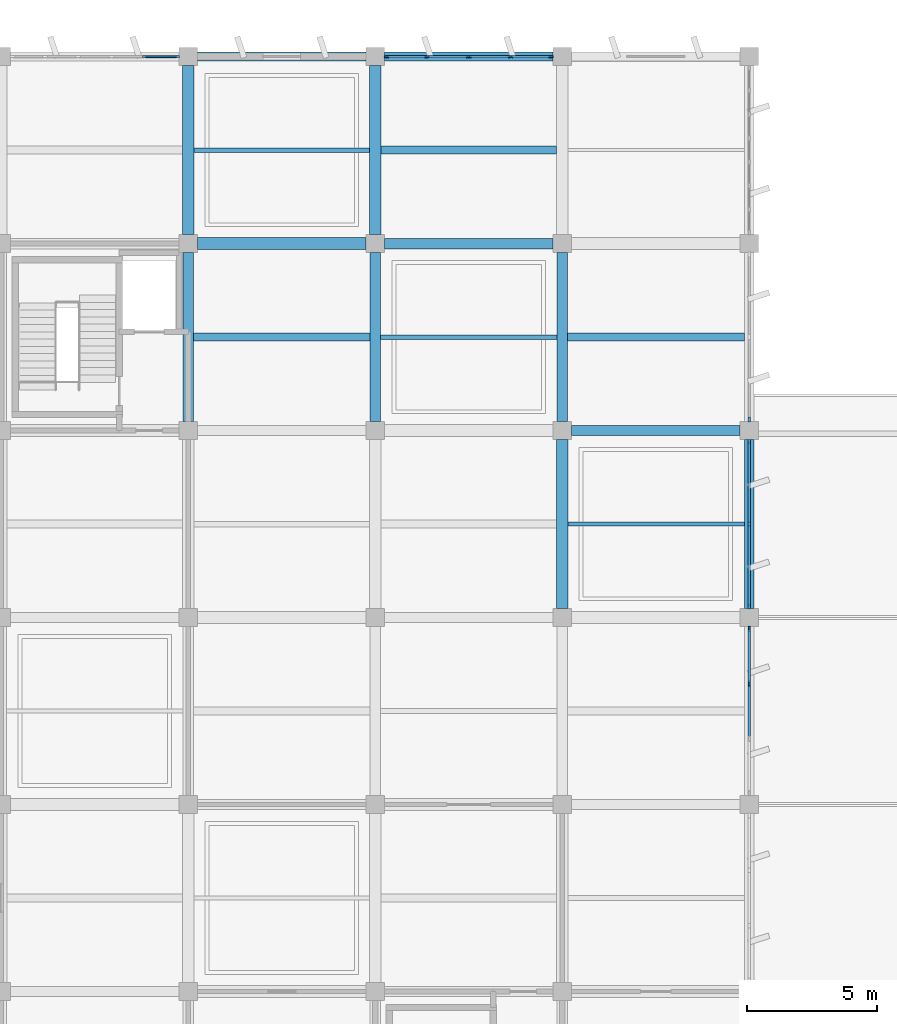
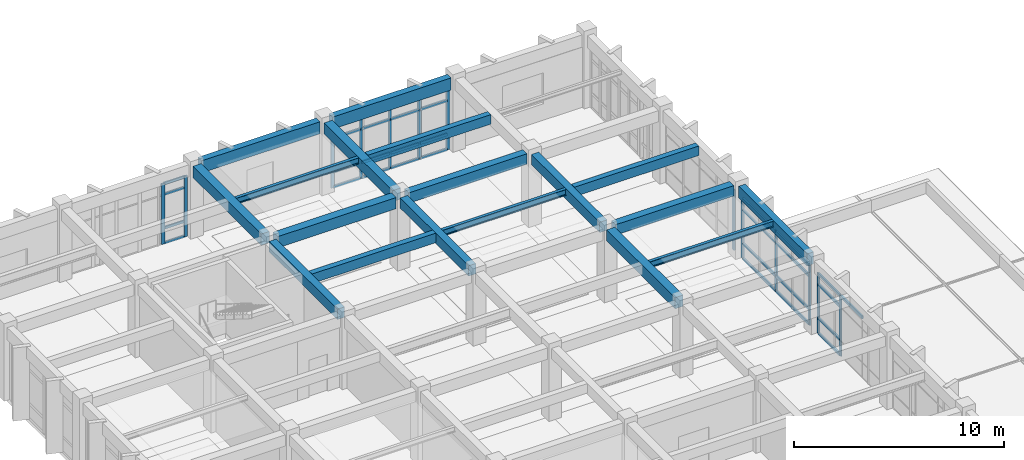
# One storey, part 33 of 81: 49 members, 15 beams, 5 elements without a shape of their own.
"""IFC4 building model written with IfcOpenShell, lengths in metres."""

import ifcopenshell
import ifcopenshell.guid

model = None  # the IFC model being written
_history = None  # IfcOwnerHistory: only IFC2X3 demands one
_inside = {}  # id of a spatial element -> (the spatial element, [elements in it])
_under = {}  # id of a project, library or spatial element -> (it, [spatial elements below it])
_declared = {}  # id of a project -> (the project, [libraries it declares])
_typed = {}  # id of a type object -> (the type object, [elements of that type])
_made_of = {}  # id of a material, layer set ... -> (it, [elements and type objects made of it])


def new_model(schema):
    """Start an empty IFC model of exactly this schema.

    Asked for "IFC4X3", IfcOpenShell would pick the latest addendum, in which some entities
    have other attributes; the version numbers below select the first issue.
    IFC2X3 requires an IfcOwnerHistory on every rooted entity: one is made here for all.
    """
    global model, _history
    if schema == "IFC4X3":
        model = ifcopenshell.file(schema_version=(4, 3, 0, 0))
    else:
        model = ifcopenshell.file(schema=schema)
    _inside.clear()
    _under.clear()
    _declared.clear()
    _typed.clear()
    _made_of.clear()
    _history = None
    if model.schema == "IFC2X3":
        org = make("IfcOrganization", Name="unknown")
        user = make(
            "IfcPersonAndOrganization",
            ThePerson=make("IfcPerson", FamilyName="unknown"),
            TheOrganization=org,
        )
        app = make(
            "IfcApplication",
            ApplicationDeveloper=org,
            Version="unknown",
            ApplicationFullName="unknown",
            ApplicationIdentifier="unknown",
        )
        _history = make(
            "IfcOwnerHistory",
            OwningUser=user,
            OwningApplication=app,
            ChangeAction="ADDED",
            CreationDate=0,
        )
    return model


def make(cls, **values):
    """One entity of the class cls with the attributes given. An attribute that is None is left unset."""
    return model.create_entity(
        cls, **{name: value for name, value in values.items() if value is not None}
    )


def rooted(cls, **values):
    """An entity with a GlobalId (a new one), such as an element, a storey or a relation."""
    return make(cls, GlobalId=ifcopenshell.guid.new(), OwnerHistory=_history, **values)


def si_unit(unit_type, name, prefix=None):
    """IfcSIUnit, for example si_unit("LENGTHUNIT", "METRE", prefix="MILLI")."""
    return make("IfcSIUnit", UnitType=unit_type, Prefix=prefix, Name=name)


def assignment(units):
    """IfcUnitAssignment: the units of a project."""
    return None if units is None else make("IfcUnitAssignment", Units=units)


def point(xyz):
    """IfcCartesianPoint."""
    return None if xyz is None else make("IfcCartesianPoint", Coordinates=xyz)


def direction(xyz):
    """IfcDirection."""
    return None if xyz is None else make("IfcDirection", DirectionRatios=xyz)


def frame(location, z_axis=None, x_axis=None):
    """IfcAxis2Placement3D, a coordinate frame: its origin and axes. An axis left out is left unset."""
    return make(
        "IfcAxis2Placement3D",
        Location=point(location),
        Axis=direction(z_axis),
        RefDirection=direction(x_axis),
    )


def frame_2d(location, x_axis=None):
    """IfcAxis2Placement2D, a coordinate frame in the plane: its origin and x axis."""
    return make(
        "IfcAxis2Placement2D", Location=point(location), RefDirection=direction(x_axis)
    )


def origin():
    """The frame at (0, 0, 0) with its axes left unset."""
    return frame((0.0, 0.0, 0.0))


def origin_2d():
    """The frame at (0, 0) in the plane with its x axis left unset."""
    return frame_2d((0.0, 0.0))


def place(relative_to, where):
    """IfcLocalPlacement: puts the frame where relative to a parent placement (None: the world)."""
    return make(
        "IfcLocalPlacement", PlacementRelTo=relative_to, RelativePlacement=where
    )


def context(
    kind, dimensions, precision=None, world=None, true_north=None, identifier=None
):
    """IfcGeometricRepresentationContext, for example the 3D "Model" context."""
    return make(
        "IfcGeometricRepresentationContext",
        ContextIdentifier=identifier,
        ContextType=kind,
        CoordinateSpaceDimension=dimensions,
        Precision=precision,
        WorldCoordinateSystem=world,
        TrueNorth=true_north,
    )


def subcontext(parent, identifier, kind, view, scale=None):
    """IfcGeometricRepresentationSubContext, for example "Body" below "Model"."""
    return make(
        "IfcGeometricRepresentationSubContext",
        ContextIdentifier=identifier,
        ContextType=kind,
        ParentContext=parent,
        TargetScale=scale,
        TargetView=view,
    )


def project(units=None, contexts=None):
    """IfcProject with its units and contexts."""
    return rooted(
        "IfcProject",
        Name="project",
        RepresentationContexts=contexts,
        UnitsInContext=assignment(units),
    )


def spatial(cls, under=None, at=None, **own):
    """A site, building, storey or space (cls), placed at a placement, below another one or the project."""
    s = rooted(cls, ObjectPlacement=at, **own)
    if under is not None:
        _under.setdefault(under.id(), (under, []))[1].append(s)
    return s


def profile(cls, at=None, kind="AREA", **sizes):
    """A parametric profile (cls). Its sizes go by their IFC names, for example OverallWidth=200.0."""
    return make(cls, ProfileType=kind, Position=at, **sizes)


def rectangle(**sizes):
    """IfcRectangleProfileDef."""
    return profile("IfcRectangleProfileDef", **sizes)


def i_section(**sizes):
    """IfcIShapeProfileDef."""
    return profile("IfcIShapeProfileDef", **sizes)


def extrude(swept, where, along, depth):
    """IfcExtrudedAreaSolid: the profile swept, set in the frame where, extruded along a direction by depth."""
    return make(
        "IfcExtrudedAreaSolid",
        SweptArea=swept,
        Position=where,
        ExtrudedDirection=direction(along),
        Depth=depth,
    )


def shape(context_of_items, identifier, shape_type, items):
    """IfcShapeRepresentation: the items that make up one representation, for example the "Body"."""
    return make(
        "IfcShapeRepresentation",
        ContextOfItems=context_of_items,
        RepresentationIdentifier=identifier,
        RepresentationType=shape_type,
        Items=items,
    )


def material(Name=None, Category=None):
    """IfcMaterial."""
    return make("IfcMaterial", Name=Name, Category=Category)


def layer(
    of_material, thickness, ventilated=None, Name=None, Category=None, Priority=None
):
    """IfcMaterialLayer: one layer of a wall or slab, of a material (None: an air gap)."""
    return make(
        "IfcMaterialLayer",
        Material=of_material,
        LayerThickness=thickness,
        IsVentilated=ventilated,
        Name=Name,
        Category=Category,
        Priority=Priority,
    )


def layer_set(layers, Name=None):
    """IfcMaterialLayerSet."""
    return make("IfcMaterialLayerSet", MaterialLayers=layers, LayerSetName=Name)


def material_profile(
    of_material, cross_section, Name=None, Category=None, Priority=None
):
    """IfcMaterialProfile: a cross section and its material."""
    return make(
        "IfcMaterialProfile",
        Name=Name,
        Material=of_material,
        Profile=cross_section,
        Priority=Priority,
        Category=Category,
    )


def profile_set(profiles, Name=None, composite=None):
    """IfcMaterialProfileSet."""
    return make(
        "IfcMaterialProfileSet",
        Name=Name,
        MaterialProfiles=profiles,
        CompositeProfile=composite,
    )


def made_of(thing, what):
    """Note that an element or type object is made of a material, layer set ...; save() writes the relation."""
    if what is not None:
        _made_of.setdefault(what.id(), (what, []))[1].append(thing)
    return thing


def type_object(cls, material=None, **own):
    """A type object (cls), such as IfcWallType, which elements share."""
    return made_of(rooted(cls, **own), material)


def element(
    cls,
    number,
    at=None,
    inside=None,
    cuts=None,
    type_object=None,
    material=None,
    context=None,
    identifier="Body",
    shape_type=None,
    held_by="IfcProductDefinitionShape",
    body=None,
    shapes=None,
    **own,
):
    """One element of the class cls, such as IfcWall. Its Tag is "e" and its number.

    at: its placement. inside: the storey or other place that contains it. cuts: it is an
    opening in that element (IfcRelVoidsElement). A single representation is given by context,
    identifier, shape_type and body (its items); several are given by shapes. held_by: the class
    of the entity that holds the representations. save() writes the other relations.
    """
    e = rooted(cls, Tag="e%d" % number, ObjectPlacement=at, **own)
    if body is not None:
        shapes = [shape(context, identifier, shape_type, body)]
    if shapes is not None:
        e.Representation = make(held_by, Representations=shapes)
    if inside is not None:
        _inside.setdefault(inside.id(), (inside, []))[1].append(e)
    if cuts is not None:
        rooted(
            "IfcRelVoidsElement", RelatingBuildingElement=cuts, RelatedOpeningElement=e
        )
    if type_object is not None:
        _typed.setdefault(type_object.id(), (type_object, []))[1].append(e)
    return made_of(e, material)


def aggregate(whole, parts):
    """IfcRelAggregates: a whole, such as a stair, and the parts it consists of."""
    return rooted("IfcRelAggregates", RelatingObject=whole, RelatedObjects=parts)


def save(model, path):
    """Write the relations noted so far, then the file.

    IfcRelAggregates (storeys below a building ...), IfcRelContainedInSpatialStructure (elements
    in a storey), IfcRelDefinesByType, IfcRelAssociatesMaterial and IfcRelDeclares: one each for
    every whole, place, type object, material and project.
    """
    for whole, parts in _under.values():
        aggregate(whole, parts)
    for where, things in _inside.values():
        rooted(
            "IfcRelContainedInSpatialStructure",
            RelatedElements=things,
            RelatingStructure=where,
        )
    for kind, things in _typed.values():
        rooted("IfcRelDefinesByType", RelatedObjects=things, RelatingType=kind)
    for what, things in _made_of.values():
        rooted("IfcRelAssociatesMaterial", RelatedObjects=things, RelatingMaterial=what)
    for by, libraries in _declared.values():
        rooted("IfcRelDeclares", RelatingContext=by, RelatedDefinitions=libraries)
    model.write(path)


model = new_model("IFC4")

# Units and contexts
model_context = context("Model", 3, precision=1e-05, world=origin(), true_north=direction((0.0, 1.0)))
body_context = subcontext(model_context, "Body", "Model", "MODEL_VIEW")
ifc_project = project(units=[si_unit("LENGTHUNIT", "METRE"), si_unit("AREAUNIT", "SQUARE_METRE"), si_unit("VOLUMEUNIT", "CUBIC_METRE"), si_unit("PLANEANGLEUNIT", "RADIAN"), si_unit("MASSUNIT", "GRAM", prefix="KILO")], contexts=[model_context])

# Site, building, storey
site_placement = place(None, origin())
site = spatial("IfcSite", under=ifc_project, at=site_placement, CompositionType="ELEMENT")
building_placement = place(site_placement, origin())
building = spatial("IfcBuilding", under=site, at=building_placement, Name="Kavelor Marine Aquarium", CompositionType="ELEMENT")
storey_placement = place(building_placement, frame((0.0, 0.0, 4.679931640625)))
storey = spatial("IfcBuildingStorey", under=building, at=storey_placement, Name="L01", CompositionType="ELEMENT", Elevation=4.679931640625)

# Beams
ifc_material_1 = material(Name="Concrete C40/50", Category="concrete")
ifc_material_profile_1 = material_profile(ifc_material_1, rectangle(XDim=0.449951171875, YDim=0.64990234375, at=origin_2d()), Name="RC-BM 450x650")
ifc_profile_set_1 = profile_set([ifc_material_profile_1], Name="Concrete C40/50")
beam_type_1 = type_object("IfcBeamType", Name="BM-B3", PredefinedType="BEAM", material=ifc_profile_set_1)
for number, where, z_axis, x_axis, name in (
    (1, (133.14990234375, 103.60009765625, 3.875), (1.0, 0.0, 0.0), (0.0, 1.0, 0.0), "bm:x:L01:L02:18_14"),
    (2, (132.800048828125, 103.949951171875, 3.875), (0.0, 1.0, 0.0), (-1.0, 0.0, 0.0), "bm:y:L01:L02:18_14"),
    (3, (140.0, 103.949951171875, 3.875), (0.0, 1.0, 0.0), (-1.0, 0.0, 0.0), "bm:y:L01:L02:19_14"),
    (4, (147.199951171875, 89.550048828125, 3.875), (0.0, 1.0, 0.0), (-1.0, 0.0, 0.0), "bm:y:L01:L02:20_12"),
):
    element("IfcBeam", number, at=place(storey_placement, frame(where, z_axis=z_axis, x_axis=x_axis)), inside=storey, type_object=beam_type_1, Name=name, PredefinedType="BEAM", context=body_context, shape_type="SweptSolid", body=[
        extrude(rectangle(XDim=0.449951171875, YDim=0.64990234375, at=origin_2d()), origin(), (0.0, 0.0, 1.0), 6.5),
    ])
ifc_material_2 = material(Name="Concrete C40/50", Category="concrete")
ifc_material_profile_2 = material_profile(ifc_material_2, rectangle(XDim=0.39990234375, YDim=0.60009765625, at=origin_2d()), Name="RC-BM 400x600")
ifc_profile_set_2 = profile_set([ifc_material_profile_2], Name="Concrete C40/50")
beam_type_2 = type_object("IfcBeamType", Name="BM-B4", PredefinedType="BEAM", material=ifc_profile_set_2)
for number, where, z_axis, x_axis, name in (
    (5, (140.35009765625, 103.60009765625, 3.900146484375), (1.0, 0.0, 0.0), (0.0, 1.0, 0.0), "bm:x:L01:L02:19_14"),
    (6, (147.550048828125, 96.39990234375, 3.900146484375), (1.0, 0.0, 0.0), (0.0, 1.0, 0.0), "bm:x:L01:L02:20_13"),
    (7, (132.800048828125, 96.75, 3.900146484375), (0.0, 1.0, 0.0), (-1.0, 0.0, 0.0), "bm:y:L01:L02:18_13"),
    (8, (140.0, 96.75, 3.900146484375), (0.0, 1.0, 0.0), (-1.0, 0.0, 0.0), "bm:y:L01:L02:19_13"),
    (9, (147.199951171875, 96.75, 3.900146484375), (0.0, 1.0, 0.0), (-1.0, 0.0, 0.0), "bm:y:L01:L02:20_13"),
):
    element("IfcBeam", number, at=place(storey_placement, frame(where, z_axis=z_axis, x_axis=x_axis)), inside=storey, type_object=beam_type_2, Name=name, PredefinedType="BEAM", context=body_context, shape_type="SweptSolid", body=[
        extrude(rectangle(XDim=0.39990234375, YDim=0.60009765625, at=origin_2d()), origin(), (0.0, 0.0, 1.0), 6.5),
    ])
ifc_material_3 = material(Name="Concrete C40/50", Category="concrete")
ifc_material_profile_3 = material_profile(ifc_material_3, rectangle(XDim=0.300048828125, YDim=0.550048828125, at=origin_2d()), Name="RC-JS 300x550")
ifc_profile_set_3 = profile_set([ifc_material_profile_3], Name="Concrete C40/50")
beam_type_3 = type_object("IfcBeamType", Name="BM-JS2", PredefinedType="JOIST", material=ifc_profile_set_3)
beam_1_placement = place(storey_placement, frame((133.0, 100.0, 3.945068359375), z_axis=(1.0, 0.0, 0.0), x_axis=(0.0, 1.0, 0.0)))
element("IfcBeam", 10, at=beam_1_placement, inside=storey, type_object=beam_type_3, Name="js:L01:L02:18_13", PredefinedType="JOIST", context=body_context, shape_type="SweptSolid", body=[
    extrude(rectangle(XDim=0.300048828125, YDim=0.550048828125, at=origin_2d()), origin(), (0.0, 0.0, 1.0), 6.800048828125),
])
beam_2_placement = place(storey_placement, frame((140.22509765625, 107.199951171875, 3.945068359375), z_axis=(1.0, 0.0, 0.0), x_axis=(0.0, 1.0, 0.0)))
element("IfcBeam", 11, at=beam_2_placement, inside=storey, type_object=beam_type_3, Name="js:L01:L02:19_14", PredefinedType="JOIST", context=body_context, shape_type="SweptSolid", body=[
    extrude(rectangle(XDim=0.300048828125, YDim=0.550048828125, at=origin_2d()), origin(), (0.0, 0.0, 1.0), 6.75),
])
beam_3_placement = place(storey_placement, frame((147.39990234375, 100.0, 3.945068359375), z_axis=(1.0, 0.0, 0.0), x_axis=(0.0, 1.0, 0.0)))
element("IfcBeam", 12, at=beam_3_placement, inside=storey, type_object=beam_type_3, Name="js:L01:L02:20_13", PredefinedType="JOIST", context=body_context, shape_type="SweptSolid", body=[
    extrude(rectangle(XDim=0.300048828125, YDim=0.550048828125, at=origin_2d()), origin(), (0.0, 0.0, 1.0), 6.8251953125),
])
ifc_material_4 = material(Name="Concrete C40/50", Category="concrete")
ifc_material_profile_4 = material_profile(ifc_material_4, rectangle(XDim=0.35009765625, YDim=0.699951171875, at=origin_2d()), Name="RC-SP 350x700")
ifc_profile_set_4 = profile_set([ifc_material_profile_4], Name="Concrete C40/50")
beam_type_4 = type_object("IfcBeamType", Name="BM-SP1", PredefinedType="SPANDREL", material=ifc_profile_set_4)
for number, where, z_axis, x_axis, name in (
    (13, (133.14990234375, 110.800048828125, 3.85009765625), (1.0, 0.0, 0.0), (0.0, 1.0, 0.0), "bm:x:L01:L02:18_15"),
    (14, (140.35009765625, 110.800048828125, 3.8701171875), (1.0, 0.0, 0.0), (0.0, 1.0, 0.0), "bm:x:L01:L02:19_15"),
    (15, (154.39990234375, 89.550048828125, 3.85009765625), (0.0, 1.0, 0.0), (-1.0, 0.0, 0.0), "bm:y:L01:L02:21_12"),
):
    element("IfcBeam", number, at=place(storey_placement, frame(where, z_axis=z_axis, x_axis=x_axis)), inside=storey, type_object=beam_type_4, Name=name, PredefinedType="SPANDREL", context=body_context, shape_type="SweptSolid", body=[
        extrude(rectangle(XDim=0.35009765625, YDim=0.699951171875, at=origin_2d()), origin(), (0.0, 0.0, 1.0), 6.5),
    ])

# Curtain wall, members
ifc_material_5 = material(Name="Thermally Broken Aluminium and Low-E Glass", Category="aluminium")
ifc_layer_1 = layer(ifc_material_5, 0.219970703125)
ifc_layer_set_1 = layer_set([ifc_layer_1], Name="CW-SYS10")
curtain_wall_type_1 = type_object("IfcCurtainWallType", Name="CW-SYS10", PredefinedType="USERDEFINED", material=ifc_layer_set_1)
curtain_wall_1_placement = place(storey_placement, origin())
curtain_wall_1 = element("IfcCurtainWall", 16, at=curtain_wall_1_placement, inside=storey, type_object=curtain_wall_type_1, Name="cw:x:L01:19_15", ObjectType="Curtain Wall", PredefinedType="USERDEFINED")
ifc_material_6 = material(Name="Anodised Aluminium Alloy 6063-T6", Category="aluminium")
ifc_material_profile_5 = material_profile(ifc_material_6, rectangle(XDim=0.074951171875, YDim=0.179931640625, at=origin_2d()), Name="CW-MUL 75x180")
ifc_profile_set_5 = profile_set([ifc_material_profile_5], Name="Anodised Aluminium Alloy 6063-T6")
member_type_1 = type_object("IfcMemberType", Name="CWM-1", PredefinedType="MULLION", material=ifc_profile_set_5)
member_1_placement = place(storey_placement, frame((140.4326171875, 110.800048828125, 0.0), z_axis=(0.0, 0.0, 1.0), x_axis=(0.0, 1.0, 0.0)))
member_1 = element("IfcMember", 17, at=member_1_placement, type_object=member_type_1, Name="CW10 mullion 1", PredefinedType="MULLION", context=body_context, shape_type="SweptSolid", body=[
    extrude(rectangle(XDim=0.074951171875, YDim=0.179931640625, at=origin_2d()), origin(), (0.0, 0.0, 1.0), 3.510009765625),
])
member_2_placement = place(storey_placement, frame((141.99755859375, 110.800048828125, 0.0), z_axis=(0.0, 0.0, 1.0), x_axis=(0.0, 1.0, 0.0)))
member_2 = element("IfcMember", 18, at=member_2_placement, type_object=member_type_1, Name="CW10 mullion 2", PredefinedType="MULLION", context=body_context, shape_type="SweptSolid", body=[
    extrude(rectangle(XDim=0.074951171875, YDim=0.179931640625, at=origin_2d()), origin(), (0.0, 0.0, 1.0), 3.510009765625),
])
member_3_placement = place(storey_placement, frame((143.60009765625, 110.800048828125, 0.0), z_axis=(0.0, 0.0, 1.0), x_axis=(0.0, 1.0, 0.0)))
member_3 = element("IfcMember", 19, at=member_3_placement, type_object=member_type_1, Name="CW10 mullion 3", PredefinedType="MULLION", context=body_context, shape_type="SweptSolid", body=[
    extrude(rectangle(XDim=0.074951171875, YDim=0.179931640625, at=origin_2d()), origin(), (0.0, 0.0, 1.0), 3.510009765625),
])
member_4_placement = place(storey_placement, frame((145.202392578125, 110.800048828125, 0.0), z_axis=(0.0, 0.0, 1.0), x_axis=(0.0, 1.0, 0.0)))
member_4 = element("IfcMember", 20, at=member_4_placement, type_object=member_type_1, Name="CW10 mullion 4", PredefinedType="MULLION", context=body_context, shape_type="SweptSolid", body=[
    extrude(rectangle(XDim=0.074951171875, YDim=0.179931640625, at=origin_2d()), origin(), (0.0, 0.0, 1.0), 3.510009765625),
])
member_5_placement = place(storey_placement, frame((146.767578125, 110.800048828125, 0.0), z_axis=(0.0, 0.0, 1.0), x_axis=(0.0, 1.0, 0.0)))
member_5 = element("IfcMember", 21, at=member_5_placement, type_object=member_type_1, Name="CW10 mullion 5", PredefinedType="MULLION", context=body_context, shape_type="SweptSolid", body=[
    extrude(rectangle(XDim=0.074951171875, YDim=0.179931640625, at=origin_2d()), origin(), (0.0, 0.0, 1.0), 3.510009765625),
])

ifc_material_7 = material(Name="Thermally Broken Aluminium and Low-E Glass", Category="aluminium")
ifc_layer_2 = layer(ifc_material_7, 0.31591796875)
ifc_layer_set_2 = layer_set([ifc_layer_2], Name="CW-SYS22")
curtain_wall_type_2 = type_object("IfcCurtainWallType", Name="CW-SYS22", PredefinedType="USERDEFINED", material=ifc_layer_set_2)
curtain_wall_2_placement = place(storey_placement, origin())
curtain_wall_2 = element("IfcCurtainWall", 22, at=curtain_wall_2_placement, inside=storey, type_object=curtain_wall_type_2, Name="cw:y:L01:21_11", ObjectType="Curtain Wall", PredefinedType="USERDEFINED")
member_6_placement = place(storey_placement, frame((154.39990234375, 86.668212890625, 0.0), z_axis=(0.0, 0.0, 1.0), x_axis=(-1.0, 0.0, 0.0)))
member_6 = element("IfcMember", 23, at=member_6_placement, type_object=member_type_1, Name="CW22 mullion 3", PredefinedType="MULLION", context=body_context, shape_type="SweptSolid", body=[
    extrude(rectangle(XDim=0.074951171875, YDim=0.179931640625, at=origin_2d()), origin(), (0.0, 0.0, 1.0), 3.510009765625),
])
member_7_placement = place(storey_placement, frame((154.39990234375, 88.767578125, 0.0), z_axis=(0.0, 0.0, 1.0), x_axis=(-1.0, 0.0, 0.0)))
member_7 = element("IfcMember", 24, at=member_7_placement, type_object=member_type_1, Name="CW22 mullion 4", PredefinedType="MULLION", context=body_context, shape_type="SweptSolid", body=[
    extrude(rectangle(XDim=0.074951171875, YDim=0.179931640625, at=origin_2d()), origin(), (0.0, 0.0, 1.0), 3.510009765625),
])

ifc_material_8 = material(Name="Thermally Broken Aluminium and Low-E Glass", Category="aluminium")
ifc_layer_3 = layer(ifc_material_8, 0.323974609375)
ifc_layer_set_3 = layer_set([ifc_layer_3], Name="CW-SYS23")
curtain_wall_type_3 = type_object("IfcCurtainWallType", Name="CW-SYS23", PredefinedType="USERDEFINED", material=ifc_layer_set_3)
curtain_wall_3_placement = place(storey_placement, origin())
curtain_wall_3 = element("IfcCurtainWall", 25, at=curtain_wall_3_placement, inside=storey, type_object=curtain_wall_type_3, Name="cw:y:L01:21_12", ObjectType="Curtain Wall", PredefinedType="USERDEFINED")
ifc_material_9 = material(Name="Anodised Aluminium Alloy 6063-T6", Category="aluminium")
ifc_material_profile_6 = material_profile(ifc_material_9, rectangle(XDim=0.080078125, YDim=0.18505859375, at=origin_2d()), Name="CW-MUL 80x185")
ifc_profile_set_6 = profile_set([ifc_material_profile_6], Name="Anodised Aluminium Alloy 6063-T6")
member_type_2 = type_object("IfcMemberType", Name="CWM-2", PredefinedType="MULLION", material=ifc_profile_set_6)
member_8_placement = place(storey_placement, frame((154.39990234375, 89.62744140625, 0.0), z_axis=(0.0, 0.0, 1.0), x_axis=(-1.0, 0.0, 0.0)))
member_8 = element("IfcMember", 26, at=member_8_placement, type_object=member_type_2, Name="CW23 mullion 1", PredefinedType="MULLION", context=body_context, shape_type="SweptSolid", body=[
    extrude(rectangle(XDim=0.080078125, YDim=0.18505859375, at=origin_2d()), origin(), (0.0, 0.0, 1.0), 3.489990234375),
])
member_9_placement = place(storey_placement, frame((154.39990234375, 92.800048828125, 0.0), z_axis=(0.0, 0.0, 1.0), x_axis=(-1.0, 0.0, 0.0)))
member_9 = element("IfcMember", 27, at=member_9_placement, type_object=member_type_2, Name="CW23 mullion 2", PredefinedType="MULLION", context=body_context, shape_type="SweptSolid", body=[
    extrude(rectangle(XDim=0.080078125, YDim=0.18505859375, at=origin_2d()), origin(), (0.0, 0.0, 1.0), 3.489990234375),
])
member_10_placement = place(storey_placement, frame((154.39990234375, 95.972412109375, 0.0), z_axis=(0.0, 0.0, 1.0), x_axis=(-1.0, 0.0, 0.0)))
member_10 = element("IfcMember", 28, at=member_10_placement, type_object=member_type_2, Name="CW23 mullion 3", PredefinedType="MULLION", context=body_context, shape_type="SweptSolid", body=[
    extrude(rectangle(XDim=0.080078125, YDim=0.18505859375, at=origin_2d()), origin(), (0.0, 0.0, 1.0), 3.489990234375),
])

ifc_material_10 = material(Name="Thermally Broken Aluminium and Low-E Glass", Category="aluminium")
ifc_layer_4 = layer(ifc_material_10, 0.18798828125)
ifc_layer_set_4 = layer_set([ifc_layer_4], Name="CW-SYS6")
curtain_wall_type_4 = type_object("IfcCurtainWallType", Name="CW-SYS6", PredefinedType="USERDEFINED", material=ifc_layer_set_4)
curtain_wall_4_placement = place(storey_placement, origin())
curtain_wall_4 = element("IfcCurtainWall", 29, at=curtain_wall_4_placement, inside=storey, type_object=curtain_wall_type_4, Name="cw:x:L01:17_15", ObjectType="Curtain Wall", PredefinedType="USERDEFINED")
ifc_material_11 = material(Name="Anodised Aluminium Alloy 6063-T6", Category="aluminium")
ifc_material_profile_7 = material_profile(ifc_material_11, rectangle(XDim=0.0849609375, YDim=0.18994140625, at=origin_2d()), Name="CW-MUL 85x190")
ifc_profile_set_7 = profile_set([ifc_material_profile_7], Name="Anodised Aluminium Alloy 6063-T6")
member_type_3 = type_object("IfcMemberType", Name="CWM-3", PredefinedType="MULLION", material=ifc_profile_set_7)
member_11_placement = place(storey_placement, frame((131.123046875, 110.800048828125, 0.0), z_axis=(0.0, 0.0, 1.0), x_axis=(0.0, 1.0, 0.0)))
member_11 = element("IfcMember", 30, at=member_11_placement, type_object=member_type_3, Name="CW06 mullion 5", PredefinedType="MULLION", context=body_context, shape_type="SweptSolid", body=[
    extrude(rectangle(XDim=0.0849609375, YDim=0.18994140625, at=origin_2d()), origin(), (0.0, 0.0, 1.0), 3.510009765625),
])
member_12_placement = place(storey_placement, frame((132.375, 110.800048828125, 0.0), z_axis=(0.0, 0.0, 1.0), x_axis=(0.0, 1.0, 0.0)))
member_12 = element("IfcMember", 31, at=member_12_placement, type_object=member_type_3, Name="CW06 mullion 6", PredefinedType="MULLION", context=body_context, shape_type="SweptSolid", body=[
    extrude(rectangle(XDim=0.0849609375, YDim=0.18994140625, at=origin_2d()), origin(), (0.0, 0.0, 1.0), 3.510009765625),
])

# Curtain wall, member
ifc_material_12 = material(Name="Thermally Broken Aluminium and Low-E Glass", Category="aluminium")
ifc_layer_5 = layer(ifc_material_12, 0.33203125)
ifc_layer_set_5 = layer_set([ifc_layer_5], Name="CW-SYS24")
curtain_wall_type_5 = type_object("IfcCurtainWallType", Name="CW-SYS24", PredefinedType="USERDEFINED", material=ifc_layer_set_5)
curtain_wall_5_placement = place(storey_placement, origin())
curtain_wall_5 = element("IfcCurtainWall", 32, at=curtain_wall_5_placement, inside=storey, type_object=curtain_wall_type_5, Name="cw:y:L01:21_13", ObjectType="Curtain Wall", PredefinedType="USERDEFINED")
member_13_placement = place(storey_placement, frame((154.39990234375, 96.824951171875, 0.0), z_axis=(0.0, 0.0, 1.0), x_axis=(-1.0, 0.0, 0.0)))
member_13 = element("IfcMember", 33, at=member_13_placement, type_object=member_type_3, Name="CW24 mullion 1", PredefinedType="MULLION", context=body_context, shape_type="SweptSolid", body=[
    extrude(rectangle(XDim=0.0849609375, YDim=0.18994140625, at=origin_2d()), origin(), (0.0, 0.0, 1.0), 3.510009765625),
])
aggregate(curtain_wall_5, [member_13])

# Member
ifc_material_13 = material(Name="Anodised Aluminium Alloy 6063-T6", Category="aluminium")
ifc_material_profile_8 = material_profile(ifc_material_13, rectangle(XDim=0.074951171875, YDim=0.14990234375, at=origin_2d()), Name="CW-TRN 75x150")
ifc_profile_set_8 = profile_set([ifc_material_profile_8], Name="Anodised Aluminium Alloy 6063-T6")
member_type_4 = type_object("IfcMemberType", Name="CWT-1", PredefinedType="USERDEFINED", material=ifc_profile_set_8)
member_14_placement = place(storey_placement, frame((131.153076171875, 110.800048828125, 0.03759765625), z_axis=(1.0, 0.0, 0.0), x_axis=(0.0, 1.0, 0.0)))
member_14 = element("IfcMember", 34, at=member_14_placement, type_object=member_type_4, Name="CW06 transom 5.1", ObjectType="TRANSOM", PredefinedType="USERDEFINED", context=body_context, shape_type="SweptSolid", body=[
    extrude(rectangle(XDim=0.074951171875, YDim=0.14990234375, at=origin_2d()), origin(), (0.0, 0.0, 1.0), 1.19189453125),
])

member_15_placement = place(storey_placement, frame((131.153076171875, 110.800048828125, 0.900146484375), z_axis=(1.0, 0.0, 0.0), x_axis=(0.0, 1.0, 0.0)))
member_15 = element("IfcMember", 35, at=member_15_placement, type_object=member_type_4, Name="CW06 transom 5.2", ObjectType="TRANSOM", PredefinedType="USERDEFINED", context=body_context, shape_type="SweptSolid", body=[
    extrude(rectangle(XDim=0.074951171875, YDim=0.14990234375, at=origin_2d()), origin(), (0.0, 0.0, 1.0), 1.19189453125),
])

member_16_placement = place(storey_placement, frame((131.153076171875, 110.800048828125, 2.860107421875), z_axis=(1.0, 0.0, 0.0), x_axis=(0.0, 1.0, 0.0)))
member_16 = element("IfcMember", 36, at=member_16_placement, type_object=member_type_4, Name="CW06 transom 5.3", ObjectType="TRANSOM", PredefinedType="USERDEFINED", context=body_context, shape_type="SweptSolid", body=[
    extrude(rectangle(XDim=0.074951171875, YDim=0.14990234375, at=origin_2d()), origin(), (0.0, 0.0, 1.0), 1.19189453125),
])

member_17_placement = place(storey_placement, frame((131.153076171875, 110.800048828125, 3.47265625), z_axis=(1.0, 0.0, 0.0), x_axis=(0.0, 1.0, 0.0)))
member_17 = element("IfcMember", 37, at=member_17_placement, type_object=member_type_4, Name="CW06 transom 5.4", ObjectType="TRANSOM", PredefinedType="USERDEFINED", context=body_context, shape_type="SweptSolid", body=[
    extrude(rectangle(XDim=0.074951171875, YDim=0.14990234375, at=origin_2d()), origin(), (0.0, 0.0, 1.0), 1.19189453125),
])

aggregate(curtain_wall_4, [member_11, member_12, member_14, member_15, member_16, member_17])

ifc_material_14 = material(Name="Anodised Aluminium Alloy 6063-T6", Category="aluminium")
ifc_material_profile_9 = material_profile(ifc_material_14, rectangle(XDim=0.0849609375, YDim=0.159912109375, at=origin_2d()), Name="CW-TRN 85x160")
ifc_profile_set_9 = profile_set([ifc_material_profile_9], Name="Anodised Aluminium Alloy 6063-T6")
member_type_5 = type_object("IfcMemberType", Name="CWT-3", PredefinedType="USERDEFINED", material=ifc_profile_set_9)
member_18_placement = place(storey_placement, frame((140.469970703125, 110.800048828125, 0.030029296875), z_axis=(1.0, 0.0, 0.0), x_axis=(0.0, 1.0, 0.0)))
member_18 = element("IfcMember", 38, at=member_18_placement, type_object=member_type_5, Name="CW10 transom 1.1", ObjectType="TRANSOM", PredefinedType="USERDEFINED", context=body_context, shape_type="SweptSolid", body=[
    extrude(rectangle(XDim=0.0849609375, YDim=0.159912109375, at=origin_2d()), origin(), (0.0, 0.0, 1.0), 1.489990234375),
])

member_19_placement = place(storey_placement, frame((140.469970703125, 110.800048828125, 0.900146484375), z_axis=(1.0, 0.0, 0.0), x_axis=(0.0, 1.0, 0.0)))
member_19 = element("IfcMember", 39, at=member_19_placement, type_object=member_type_5, Name="CW10 transom 1.2", ObjectType="TRANSOM", PredefinedType="USERDEFINED", context=body_context, shape_type="SweptSolid", body=[
    extrude(rectangle(XDim=0.0849609375, YDim=0.159912109375, at=origin_2d()), origin(), (0.0, 0.0, 1.0), 1.489990234375),
])

member_20_placement = place(storey_placement, frame((140.469970703125, 110.800048828125, 2.860107421875), z_axis=(1.0, 0.0, 0.0), x_axis=(0.0, 1.0, 0.0)))
member_20 = element("IfcMember", 40, at=member_20_placement, type_object=member_type_5, Name="CW10 transom 1.3", ObjectType="TRANSOM", PredefinedType="USERDEFINED", context=body_context, shape_type="SweptSolid", body=[
    extrude(rectangle(XDim=0.0849609375, YDim=0.159912109375, at=origin_2d()), origin(), (0.0, 0.0, 1.0), 1.489990234375),
])

member_21_placement = place(storey_placement, frame((140.469970703125, 110.800048828125, 3.47998046875), z_axis=(1.0, 0.0, 0.0), x_axis=(0.0, 1.0, 0.0)))
member_21 = element("IfcMember", 41, at=member_21_placement, type_object=member_type_5, Name="CW10 transom 1.4", ObjectType="TRANSOM", PredefinedType="USERDEFINED", context=body_context, shape_type="SweptSolid", body=[
    extrude(rectangle(XDim=0.0849609375, YDim=0.159912109375, at=origin_2d()), origin(), (0.0, 0.0, 1.0), 1.489990234375),
])

member_22_placement = place(storey_placement, frame((142.034912109375, 110.800048828125, 0.030029296875), z_axis=(1.0, 0.0, 0.0), x_axis=(0.0, 1.0, 0.0)))
member_22 = element("IfcMember", 42, at=member_22_placement, type_object=member_type_5, Name="CW10 transom 2.1", ObjectType="TRANSOM", PredefinedType="USERDEFINED", context=body_context, shape_type="SweptSolid", body=[
    extrude(rectangle(XDim=0.0849609375, YDim=0.159912109375, at=origin_2d()), origin(), (0.0, 0.0, 1.0), 1.527587890625),
])

member_23_placement = place(storey_placement, frame((142.034912109375, 110.800048828125, 0.900146484375), z_axis=(1.0, 0.0, 0.0), x_axis=(0.0, 1.0, 0.0)))
member_23 = element("IfcMember", 43, at=member_23_placement, type_object=member_type_5, Name="CW10 transom 2.2", ObjectType="TRANSOM", PredefinedType="USERDEFINED", context=body_context, shape_type="SweptSolid", body=[
    extrude(rectangle(XDim=0.0849609375, YDim=0.159912109375, at=origin_2d()), origin(), (0.0, 0.0, 1.0), 1.527587890625),
])

member_24_placement = place(storey_placement, frame((142.034912109375, 110.800048828125, 2.860107421875), z_axis=(1.0, 0.0, 0.0), x_axis=(0.0, 1.0, 0.0)))
member_24 = element("IfcMember", 44, at=member_24_placement, type_object=member_type_5, Name="CW10 transom 2.3", ObjectType="TRANSOM", PredefinedType="USERDEFINED", context=body_context, shape_type="SweptSolid", body=[
    extrude(rectangle(XDim=0.0849609375, YDim=0.159912109375, at=origin_2d()), origin(), (0.0, 0.0, 1.0), 1.527587890625),
])

member_25_placement = place(storey_placement, frame((142.034912109375, 110.800048828125, 3.47998046875), z_axis=(1.0, 0.0, 0.0), x_axis=(0.0, 1.0, 0.0)))
member_25 = element("IfcMember", 45, at=member_25_placement, type_object=member_type_5, Name="CW10 transom 2.4", ObjectType="TRANSOM", PredefinedType="USERDEFINED", context=body_context, shape_type="SweptSolid", body=[
    extrude(rectangle(XDim=0.0849609375, YDim=0.159912109375, at=origin_2d()), origin(), (0.0, 0.0, 1.0), 1.527587890625),
])

member_26_placement = place(storey_placement, frame((143.637451171875, 110.800048828125, 0.030029296875), z_axis=(1.0, 0.0, 0.0), x_axis=(0.0, 1.0, 0.0)))
member_26 = element("IfcMember", 46, at=member_26_placement, type_object=member_type_5, Name="CW10 transom 3.1", ObjectType="TRANSOM", PredefinedType="USERDEFINED", context=body_context, shape_type="SweptSolid", body=[
    extrude(rectangle(XDim=0.0849609375, YDim=0.159912109375, at=origin_2d()), origin(), (0.0, 0.0, 1.0), 1.527587890625),
])

member_27_placement = place(storey_placement, frame((143.637451171875, 110.800048828125, 0.900146484375), z_axis=(1.0, 0.0, 0.0), x_axis=(0.0, 1.0, 0.0)))
member_27 = element("IfcMember", 47, at=member_27_placement, type_object=member_type_5, Name="CW10 transom 3.2", ObjectType="TRANSOM", PredefinedType="USERDEFINED", context=body_context, shape_type="SweptSolid", body=[
    extrude(rectangle(XDim=0.0849609375, YDim=0.159912109375, at=origin_2d()), origin(), (0.0, 0.0, 1.0), 1.527587890625),
])

member_28_placement = place(storey_placement, frame((143.637451171875, 110.800048828125, 2.860107421875), z_axis=(1.0, 0.0, 0.0), x_axis=(0.0, 1.0, 0.0)))
member_28 = element("IfcMember", 48, at=member_28_placement, type_object=member_type_5, Name="CW10 transom 3.3", ObjectType="TRANSOM", PredefinedType="USERDEFINED", context=body_context, shape_type="SweptSolid", body=[
    extrude(rectangle(XDim=0.0849609375, YDim=0.159912109375, at=origin_2d()), origin(), (0.0, 0.0, 1.0), 1.527587890625),
])

member_29_placement = place(storey_placement, frame((143.637451171875, 110.800048828125, 3.47998046875), z_axis=(1.0, 0.0, 0.0), x_axis=(0.0, 1.0, 0.0)))
member_29 = element("IfcMember", 49, at=member_29_placement, type_object=member_type_5, Name="CW10 transom 3.4", ObjectType="TRANSOM", PredefinedType="USERDEFINED", context=body_context, shape_type="SweptSolid", body=[
    extrude(rectangle(XDim=0.0849609375, YDim=0.159912109375, at=origin_2d()), origin(), (0.0, 0.0, 1.0), 1.527587890625),
])

member_30_placement = place(storey_placement, frame((145.239990234375, 110.800048828125, 0.030029296875), z_axis=(1.0, 0.0, 0.0), x_axis=(0.0, 1.0, 0.0)))
member_30 = element("IfcMember", 50, at=member_30_placement, type_object=member_type_5, Name="CW10 transom 4.1", ObjectType="TRANSOM", PredefinedType="USERDEFINED", context=body_context, shape_type="SweptSolid", body=[
    extrude(rectangle(XDim=0.0849609375, YDim=0.159912109375, at=origin_2d()), origin(), (0.0, 0.0, 1.0), 1.489990234375),
])

member_31_placement = place(storey_placement, frame((145.239990234375, 110.800048828125, 0.900146484375), z_axis=(1.0, 0.0, 0.0), x_axis=(0.0, 1.0, 0.0)))
member_31 = element("IfcMember", 51, at=member_31_placement, type_object=member_type_5, Name="CW10 transom 4.2", ObjectType="TRANSOM", PredefinedType="USERDEFINED", context=body_context, shape_type="SweptSolid", body=[
    extrude(rectangle(XDim=0.0849609375, YDim=0.159912109375, at=origin_2d()), origin(), (0.0, 0.0, 1.0), 1.489990234375),
])

member_32_placement = place(storey_placement, frame((145.239990234375, 110.800048828125, 2.860107421875), z_axis=(1.0, 0.0, 0.0), x_axis=(0.0, 1.0, 0.0)))
member_32 = element("IfcMember", 52, at=member_32_placement, type_object=member_type_5, Name="CW10 transom 4.3", ObjectType="TRANSOM", PredefinedType="USERDEFINED", context=body_context, shape_type="SweptSolid", body=[
    extrude(rectangle(XDim=0.0849609375, YDim=0.159912109375, at=origin_2d()), origin(), (0.0, 0.0, 1.0), 1.489990234375),
])

member_33_placement = place(storey_placement, frame((145.239990234375, 110.800048828125, 3.47998046875), z_axis=(1.0, 0.0, 0.0), x_axis=(0.0, 1.0, 0.0)))
member_33 = element("IfcMember", 53, at=member_33_placement, type_object=member_type_5, Name="CW10 transom 4.4", ObjectType="TRANSOM", PredefinedType="USERDEFINED", context=body_context, shape_type="SweptSolid", body=[
    extrude(rectangle(XDim=0.0849609375, YDim=0.159912109375, at=origin_2d()), origin(), (0.0, 0.0, 1.0), 1.489990234375),
])

aggregate(curtain_wall_1, [member_1, member_2, member_3, member_4, member_5, member_18, member_19, member_20, member_21, member_22, member_23, member_24, member_25, member_26, member_27, member_28, member_29, member_30, member_31, member_32, member_33])

member_34_placement = place(storey_placement, frame((154.39990234375, 84.569091796875, 3.47998046875), z_axis=(0.0, 1.0, 0.0), x_axis=(-1.0, 0.0, 0.0)))
member_34 = element("IfcMember", 54, at=member_34_placement, type_object=member_type_5, Name="CW22 transom 2.4", ObjectType="TRANSOM", PredefinedType="USERDEFINED", context=body_context, shape_type="SweptSolid", body=[
    extrude(rectangle(XDim=0.0849609375, YDim=0.159912109375, at=origin_2d()), origin(), (0.0, 0.0, 1.0), 2.061767578125),
])

member_35_placement = place(storey_placement, frame((154.39990234375, 86.705810546875, 0.030029296875), z_axis=(0.0, 1.0, 0.0), x_axis=(-1.0, 0.0, 0.0)))
member_35 = element("IfcMember", 55, at=member_35_placement, type_object=member_type_5, Name="CW22 transom 3.1", ObjectType="TRANSOM", PredefinedType="USERDEFINED", context=body_context, shape_type="SweptSolid", body=[
    extrude(rectangle(XDim=0.0849609375, YDim=0.159912109375, at=origin_2d()), origin(), (0.0, 0.0, 1.0), 2.024169921875),
])

member_36_placement = place(storey_placement, frame((154.39990234375, 86.705810546875, 0.900146484375), z_axis=(0.0, 1.0, 0.0), x_axis=(-1.0, 0.0, 0.0)))
member_36 = element("IfcMember", 56, at=member_36_placement, type_object=member_type_5, Name="CW22 transom 3.2", ObjectType="TRANSOM", PredefinedType="USERDEFINED", context=body_context, shape_type="SweptSolid", body=[
    extrude(rectangle(XDim=0.0849609375, YDim=0.159912109375, at=origin_2d()), origin(), (0.0, 0.0, 1.0), 2.024169921875),
])

member_37_placement = place(storey_placement, frame((154.39990234375, 86.705810546875, 2.860107421875), z_axis=(0.0, 1.0, 0.0), x_axis=(-1.0, 0.0, 0.0)))
member_37 = element("IfcMember", 57, at=member_37_placement, type_object=member_type_5, Name="CW22 transom 3.3", ObjectType="TRANSOM", PredefinedType="USERDEFINED", context=body_context, shape_type="SweptSolid", body=[
    extrude(rectangle(XDim=0.0849609375, YDim=0.159912109375, at=origin_2d()), origin(), (0.0, 0.0, 1.0), 2.024169921875),
])

member_38_placement = place(storey_placement, frame((154.39990234375, 86.705810546875, 3.47998046875), z_axis=(0.0, 1.0, 0.0), x_axis=(-1.0, 0.0, 0.0)))
member_38 = element("IfcMember", 58, at=member_38_placement, type_object=member_type_5, Name="CW22 transom 3.4", ObjectType="TRANSOM", PredefinedType="USERDEFINED", context=body_context, shape_type="SweptSolid", body=[
    extrude(rectangle(XDim=0.0849609375, YDim=0.159912109375, at=origin_2d()), origin(), (0.0, 0.0, 1.0), 2.024169921875),
])

aggregate(curtain_wall_2, [member_6, member_7, member_34, member_35, member_36, member_37, member_38])

member_39_placement = place(storey_placement, frame((154.39990234375, 89.659912109375, 0.030029296875), z_axis=(0.0, 1.0, 0.0), x_axis=(-1.0, 0.0, 0.0)))
member_39 = element("IfcMember", 59, at=member_39_placement, type_object=member_type_5, Name="CW23 transom 1.1", ObjectType="TRANSOM", PredefinedType="USERDEFINED", context=body_context, shape_type="SweptSolid", body=[
    extrude(rectangle(XDim=0.0849609375, YDim=0.159912109375, at=origin_2d()), origin(), (0.0, 0.0, 1.0), 3.107666015625),
])

member_40_placement = place(storey_placement, frame((154.39990234375, 89.659912109375, 0.900146484375), z_axis=(0.0, 1.0, 0.0), x_axis=(-1.0, 0.0, 0.0)))
member_40 = element("IfcMember", 60, at=member_40_placement, type_object=member_type_5, Name="CW23 transom 1.2", ObjectType="TRANSOM", PredefinedType="USERDEFINED", context=body_context, shape_type="SweptSolid", body=[
    extrude(rectangle(XDim=0.0849609375, YDim=0.159912109375, at=origin_2d()), origin(), (0.0, 0.0, 1.0), 3.107666015625),
])

member_41_placement = place(storey_placement, frame((154.39990234375, 89.659912109375, 2.840087890625), z_axis=(0.0, 1.0, 0.0), x_axis=(-1.0, 0.0, 0.0)))
member_41 = element("IfcMember", 61, at=member_41_placement, type_object=member_type_5, Name="CW23 transom 1.3", ObjectType="TRANSOM", PredefinedType="USERDEFINED", context=body_context, shape_type="SweptSolid", body=[
    extrude(rectangle(XDim=0.0849609375, YDim=0.159912109375, at=origin_2d()), origin(), (0.0, 0.0, 1.0), 3.107666015625),
])

member_42_placement = place(storey_placement, frame((154.39990234375, 89.659912109375, 3.4599609375), z_axis=(0.0, 1.0, 0.0), x_axis=(-1.0, 0.0, 0.0)))
member_42 = element("IfcMember", 62, at=member_42_placement, type_object=member_type_5, Name="CW23 transom 1.4", ObjectType="TRANSOM", PredefinedType="USERDEFINED", context=body_context, shape_type="SweptSolid", body=[
    extrude(rectangle(XDim=0.0849609375, YDim=0.159912109375, at=origin_2d()), origin(), (0.0, 0.0, 1.0), 3.107666015625),
])

member_43_placement = place(storey_placement, frame((154.39990234375, 92.83251953125, 0.030029296875), z_axis=(0.0, 1.0, 0.0), x_axis=(-1.0, 0.0, 0.0)))
member_43 = element("IfcMember", 63, at=member_43_placement, type_object=member_type_5, Name="CW23 transom 2.1", ObjectType="TRANSOM", PredefinedType="USERDEFINED", context=body_context, shape_type="SweptSolid", body=[
    extrude(rectangle(XDim=0.0849609375, YDim=0.159912109375, at=origin_2d()), origin(), (0.0, 0.0, 1.0), 3.107421875),
])

member_44_placement = place(storey_placement, frame((154.39990234375, 92.83251953125, 0.900146484375), z_axis=(0.0, 1.0, 0.0), x_axis=(-1.0, 0.0, 0.0)))
member_44 = element("IfcMember", 64, at=member_44_placement, type_object=member_type_5, Name="CW23 transom 2.2", ObjectType="TRANSOM", PredefinedType="USERDEFINED", context=body_context, shape_type="SweptSolid", body=[
    extrude(rectangle(XDim=0.0849609375, YDim=0.159912109375, at=origin_2d()), origin(), (0.0, 0.0, 1.0), 3.107421875),
])

member_45_placement = place(storey_placement, frame((154.39990234375, 92.83251953125, 2.840087890625), z_axis=(0.0, 1.0, 0.0), x_axis=(-1.0, 0.0, 0.0)))
member_45 = element("IfcMember", 65, at=member_45_placement, type_object=member_type_5, Name="CW23 transom 2.3", ObjectType="TRANSOM", PredefinedType="USERDEFINED", context=body_context, shape_type="SweptSolid", body=[
    extrude(rectangle(XDim=0.0849609375, YDim=0.159912109375, at=origin_2d()), origin(), (0.0, 0.0, 1.0), 3.107421875),
])

member_46_placement = place(storey_placement, frame((154.39990234375, 92.83251953125, 3.4599609375), z_axis=(0.0, 1.0, 0.0), x_axis=(-1.0, 0.0, 0.0)))
member_46 = element("IfcMember", 66, at=member_46_placement, type_object=member_type_5, Name="CW23 transom 2.4", ObjectType="TRANSOM", PredefinedType="USERDEFINED", context=body_context, shape_type="SweptSolid", body=[
    extrude(rectangle(XDim=0.0849609375, YDim=0.159912109375, at=origin_2d()), origin(), (0.0, 0.0, 1.0), 3.107421875),
])

aggregate(curtain_wall_3, [member_8, member_9, member_10, member_39, member_40, member_41, member_42, member_43, member_44, member_45, member_46])

# Members
ifc_material_15 = material(Name="Steel S355", Category="steel")
ifc_material_profile_10 = material_profile(ifc_material_15, i_section(OverallWidth=0.169921875, OverallDepth=0.360107421875, WebThickness=0.008056640625, FlangeThickness=0.0126953125, FilletRadius=0.01806640625, at=origin_2d()), Name="IPE 360")
ifc_profile_set_10 = profile_set([ifc_material_profile_10], Name="Steel S355")
member_type_6 = type_object("IfcMemberType", Name="PR-SJ3", PredefinedType="PURLIN", material=ifc_profile_set_10)
member_47_placement = place(storey_placement, frame((133.02490234375, 107.199951171875, 4.02001953125), z_axis=(1.0, 0.0, 0.0), x_axis=(0.0, 1.0, 0.0)))
element("IfcMember", 67, at=member_47_placement, inside=storey, type_object=member_type_6, Name="js:L01:L02:18_14", PredefinedType="PURLIN", context=body_context, shape_type="SweptSolid", body=[
    extrude(i_section(OverallWidth=0.169921875, OverallDepth=0.360107421875, WebThickness=0.008056640625, FlangeThickness=0.0126953125, FilletRadius=0.01806640625, at=origin_2d()), origin(), (0.0, 0.0, 1.0), 6.75),
])
for number, where, z_axis, x_axis, name in (
    (68, (140.199951171875, 100.0, 4.02001953125), (1.0, 0.0, 0.0), (0.0, 1.0, 0.0), "js:L01:L02:19_13"),
    (69, (147.425048828125, 92.800048828125, 4.02001953125), (1.0, 0.0, 0.0), (0.0, 1.0, 0.0), "js:L01:L02:20_12"),
):
    element("IfcMember", number, at=place(storey_placement, frame(where, z_axis=z_axis, x_axis=x_axis)), inside=storey, type_object=member_type_6, Name=name, PredefinedType="PURLIN", context=body_context, shape_type="SweptSolid", body=[
        extrude(i_section(OverallWidth=0.169921875, OverallDepth=0.360107421875, WebThickness=0.008056640625, FlangeThickness=0.0126953125, FilletRadius=0.01806640625, at=origin_2d()), origin(), (0.0, 0.0, 1.0), 6.800048828125),
    ])

save(model, "model.ifc")
